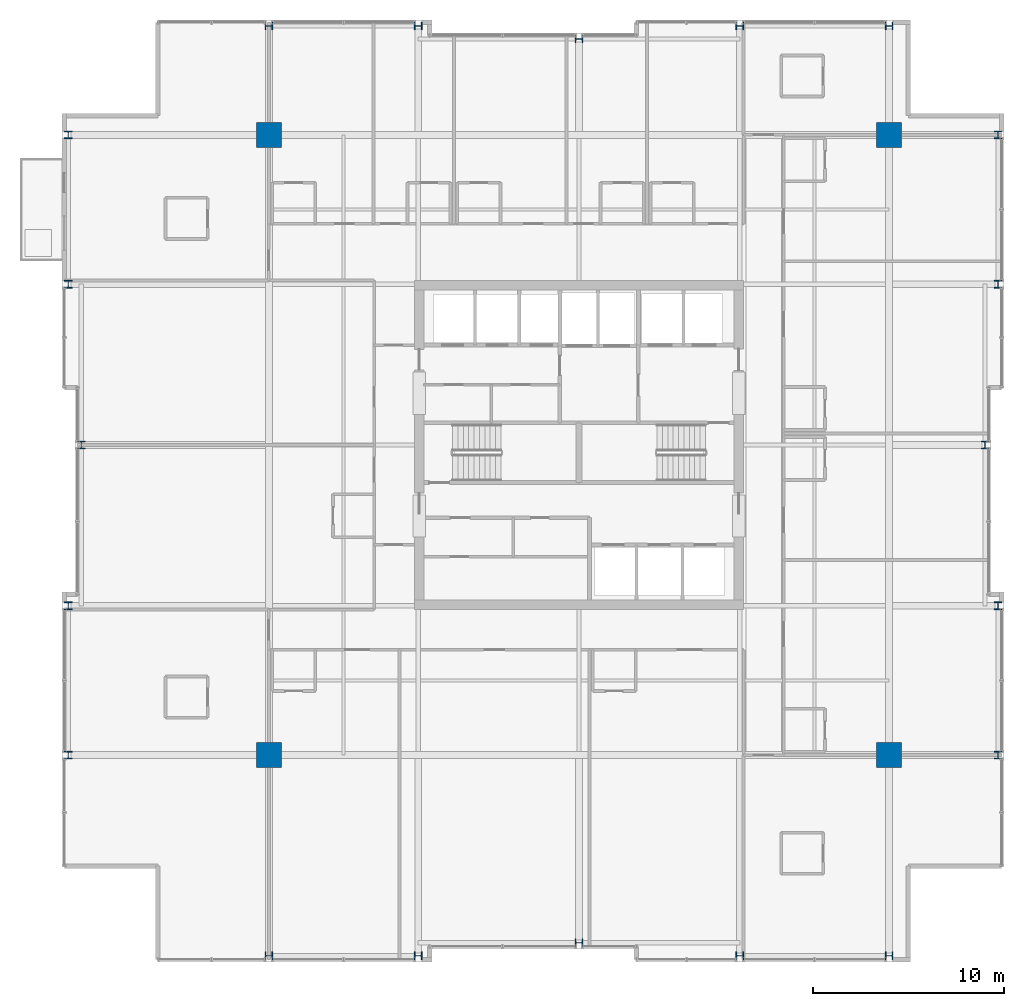
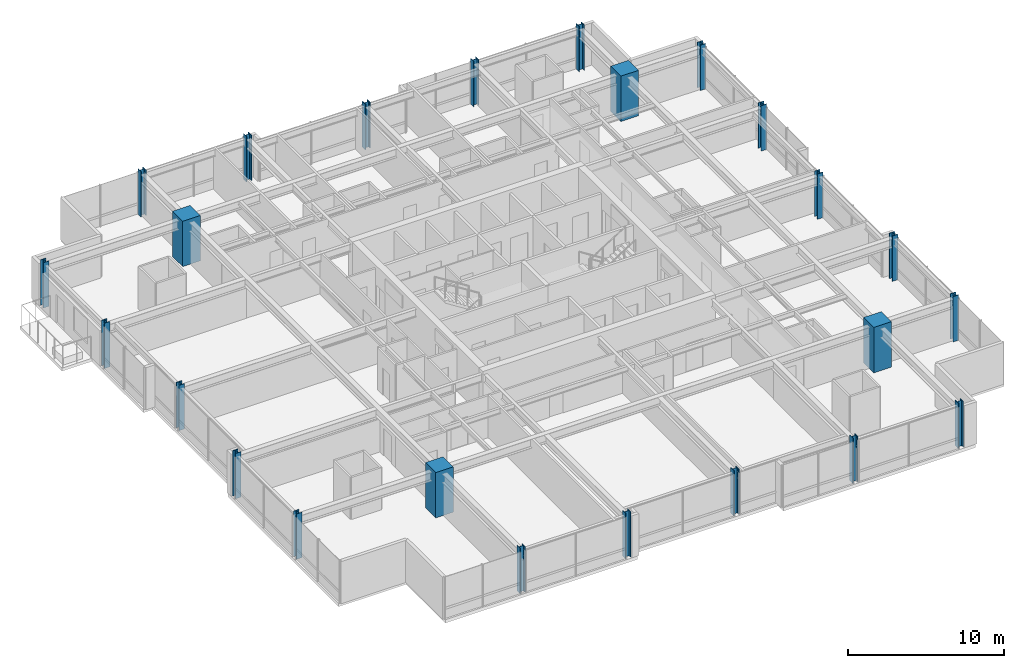
# One storey, part 1 of 31: 24 columns.
"""IFC4 building model written with IfcOpenShell, lengths in metres."""

from ifc_helpers import new_model, si_unit, direction, frame, origin, origin_2d, place, context, subcontext, project, spatial, rectangle, i_section, extrude, material, material_profile, profile_set, type_object, element, save


model = new_model("IFC4")

# Units and contexts
model_context = context("Model", 3, precision=1e-05, world=origin(), true_north=direction((0.0, 1.0)))
body_context = subcontext(model_context, "Body", "Model", "MODEL_VIEW")
ifc_project = project(units=[si_unit("LENGTHUNIT", "METRE"), si_unit("AREAUNIT", "SQUARE_METRE"), si_unit("VOLUMEUNIT", "CUBIC_METRE"), si_unit("PLANEANGLEUNIT", "RADIAN"), si_unit("MASSUNIT", "GRAM", prefix="KILO")], contexts=[model_context])

# Site, building, storey
site_placement = place(None, origin())
site = spatial("IfcSite", under=ifc_project, at=site_placement, CompositionType="ELEMENT")
building_placement = place(site_placement, origin())
building = spatial("IfcBuilding", under=site, at=building_placement, Name="Drelvath Grand Hotel", CompositionType="ELEMENT")
storey_placement = place(building_placement, frame((0.0, 0.0, 185.89990234375)))
storey = spatial("IfcBuildingStorey", under=building, at=storey_placement, Name="L48", CompositionType="ELEMENT", Elevation=185.89990234375)

# Columns
ifc_material_1 = material(Name="Concrete f'c 55 MPa", Category="concrete")
ifc_material_profile_1 = material_profile(ifc_material_1, rectangle(XDim=1.300048828125, YDim=1.300048828125, at=origin_2d()), Name="MC1300X1300")
ifc_profile_set_1 = profile_set([ifc_material_profile_1], Name="Concrete f'c 55 MPa")
column_type_1 = type_object("IfcColumnType", Name="Composite Mega Column MC1300X1300", PredefinedType="COLUMN", material=ifc_profile_set_1)
for number, where, z_axis, x_axis, name in (
    (1, (-16.199951171875, 10.800048828125, 0.0), (0.0, 0.0, 1.0), (1.0, 0.0, 0.0), "L48 Composite Mega Column MC-SW"),
    (2, (16.199951171875, 10.800048828125, 0.0), (0.0, 0.0, 1.0), (1.0, 0.0, 0.0), "L48 Composite Mega Column MC-SE"),
    (3, (-16.199951171875, 43.199951171875, 0.0), (0.0, 0.0, 1.0), (1.0, 0.0, 0.0), "L48 Composite Mega Column MC-NW"),
    (4, (16.199951171875, 43.199951171875, 0.0), (0.0, 0.0, 1.0), (1.0, 0.0, 0.0), "L48 Composite Mega Column MC-NE"),
):
    element("IfcColumn", number, at=place(storey_placement, frame(where, z_axis=z_axis, x_axis=x_axis)), inside=storey, type_object=column_type_1, Name=name, PredefinedType="COLUMN", context=body_context, shape_type="SweptSolid", body=[
        extrude(rectangle(XDim=1.300048828125, YDim=1.300048828125, at=origin_2d()), origin(), (0.0, 0.0, 1.0), 3.550048828125),
    ])
ifc_material_2 = material(Name="Steel ASTM A913 Gr 65", Category="steel")
ifc_material_profile_2 = material_profile(ifc_material_2, i_section(OverallWidth=0.4013671875, OverallDepth=0.3994140625, WebThickness=0.02490234375, FlangeThickness=0.03955078125, FilletRadius=0.02490234375, at=origin_2d()), Name="W14X211")
ifc_profile_set_2 = profile_set([ifc_material_profile_2], Name="Steel ASTM A913 Gr 65")
column_type_2 = type_object("IfcColumnType", Name="Perimeter Steel Column W14X211", PredefinedType="COLUMN", material=ifc_profile_set_2)
for number, where, z_axis, x_axis, name in (
    (5, (-26.679931640625, 10.800048828125, 0.0), (0.0, 0.0, 1.0), (1.0, 0.0, 0.0), "L48 Structural Column TCW-C"),
    (6, (21.8798828125, 10.800048828125, 0.0), (0.0, 0.0, 1.0), (1.0, 0.0, 0.0), "L48 Structural Column TCE-C"),
    (7, (-26.679931640625, 18.60009765625, 0.0), (0.0, 0.0, 1.0), (1.0, 0.0, 0.0), "L48 Structural Column TCW-D"),
    (8, (21.8798828125, 18.60009765625, 0.0), (0.0, 0.0, 1.0), (1.0, 0.0, 0.0), "L48 Structural Column TCE-D"),
    (9, (-26.0, 27.0, 0.0), (0.0, 0.0, 1.0), (1.0, 0.0, 0.0), "L48 Structural Column TCW-E"),
    (10, (21.199951171875, 27.0, 0.0), (0.0, 0.0, 1.0), (1.0, 0.0, 0.0), "L48 Structural Column TCE-E"),
    (11, (-26.679931640625, 35.39990234375, 0.0), (0.0, 0.0, 1.0), (1.0, 0.0, 0.0), "L48 Structural Column TCW-F"),
    (12, (21.8798828125, 35.39990234375, 0.0), (0.0, 0.0, 1.0), (1.0, 0.0, 0.0), "L48 Structural Column TCE-F"),
    (13, (-26.679931640625, 43.199951171875, 0.0), (0.0, 0.0, 1.0), (1.0, 0.0, 0.0), "L48 Structural Column TCW-G"),
    (14, (21.8798828125, 43.199951171875, 0.0), (0.0, 0.0, 1.0), (1.0, 0.0, 0.0), "L48 Structural Column TCE-G"),
    (15, (-16.199951171875, 0.320068359375, 0.0), (0.0, 0.0, 1.0), (0.0, 1.0, 0.0), "L48 Structural Column TCS-3"),
    (16, (-16.199951171875, 48.8798828125, 0.0), (0.0, 0.0, 1.0), (0.0, 1.0, 0.0), "L48 Structural Column TCN-3"),
    (17, (-8.39990234375, 0.320068359375, 0.0), (0.0, 0.0, 1.0), (0.0, 1.0, 0.0), "L48 Structural Column TCS-4"),
    (18, (-8.39990234375, 48.8798828125, 0.0), (0.0, 0.0, 1.0), (0.0, 1.0, 0.0), "L48 Structural Column TCN-4"),
    (19, (0.0, 1.0, 0.0), (0.0, 0.0, 1.0), (0.0, 1.0, 0.0), "L48 Structural Column TCS-5"),
    (20, (0.0, 48.199951171875, 0.0), (0.0, 0.0, 1.0), (0.0, 1.0, 0.0), "L48 Structural Column TCN-5"),
    (21, (8.39990234375, 0.320068359375, 0.0), (0.0, 0.0, 1.0), (0.0, 1.0, 0.0), "L48 Structural Column TCS-6"),
    (22, (8.39990234375, 48.8798828125, 0.0), (0.0, 0.0, 1.0), (0.0, 1.0, 0.0), "L48 Structural Column TCN-6"),
    (23, (16.199951171875, 0.320068359375, 0.0), (0.0, 0.0, 1.0), (0.0, 1.0, 0.0), "L48 Structural Column TCS-7"),
    (24, (16.199951171875, 48.8798828125, 0.0), (0.0, 0.0, 1.0), (0.0, 1.0, 0.0), "L48 Structural Column TCN-7"),
):
    element("IfcColumn", number, at=place(storey_placement, frame(where, z_axis=z_axis, x_axis=x_axis)), inside=storey, type_object=column_type_2, Name=name, PredefinedType="COLUMN", context=body_context, shape_type="SweptSolid", body=[
        extrude(i_section(OverallWidth=0.4013671875, OverallDepth=0.3994140625, WebThickness=0.02490234375, FlangeThickness=0.03955078125, FilletRadius=0.02490234375, at=origin_2d()), origin(), (0.0, 0.0, 1.0), 3.547119140625),
    ])

save(model, "model.ifc")
